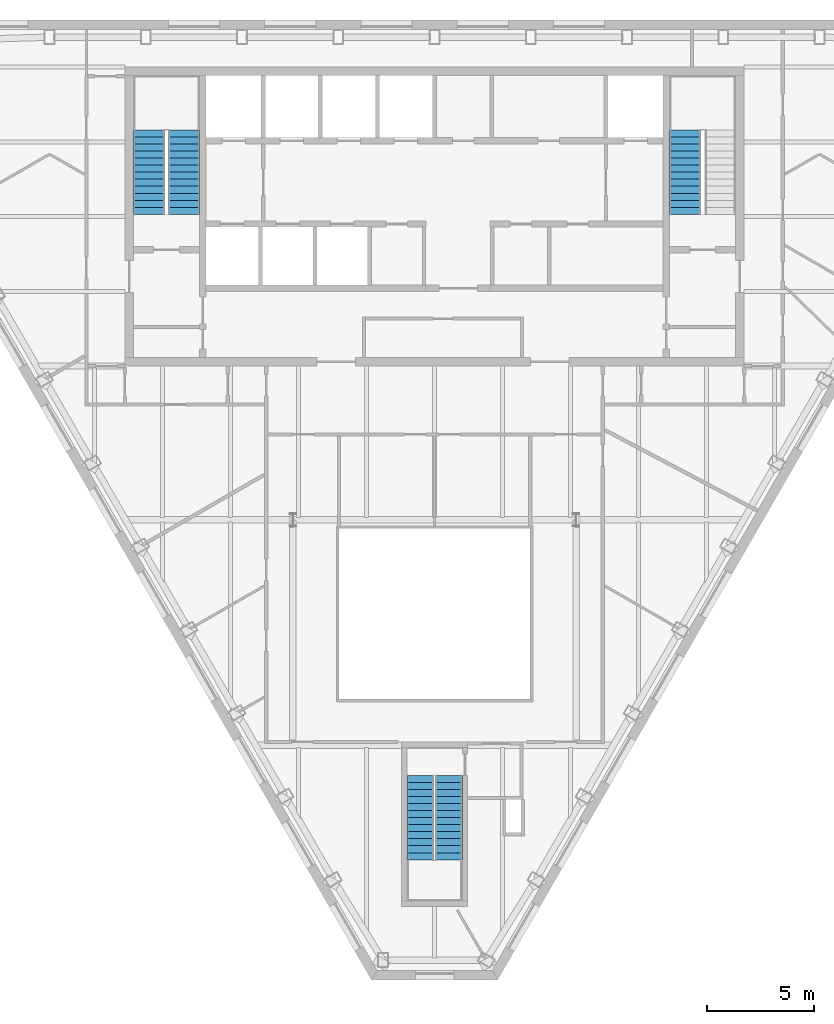
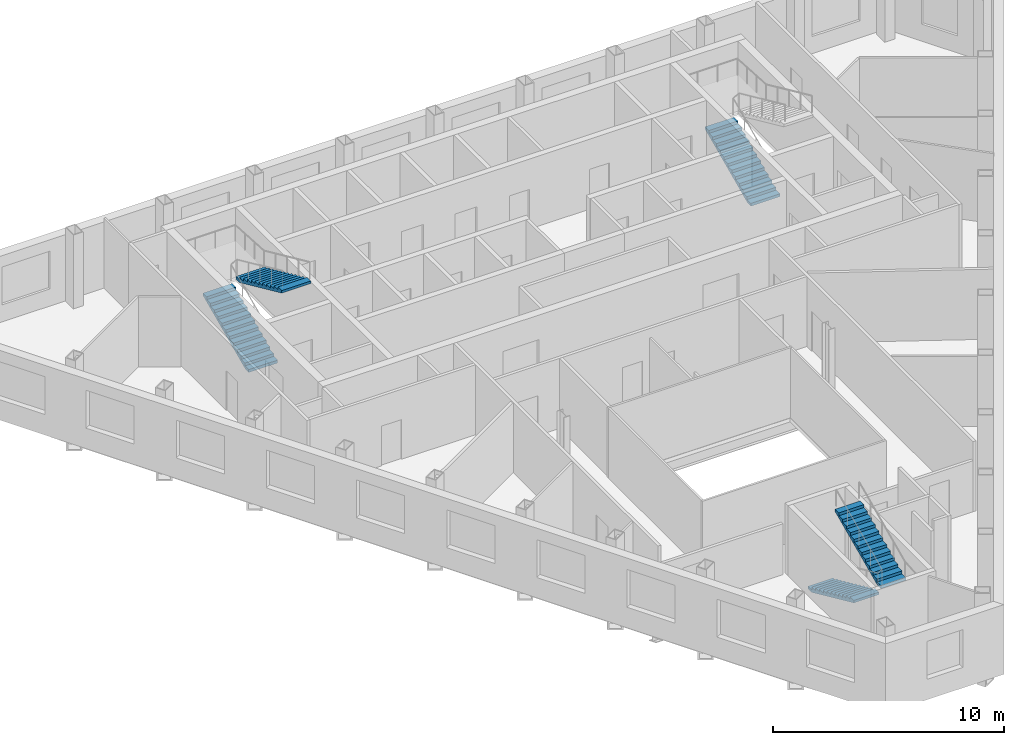
# One storey, part 8 of 10: 5 stair flights, 3 elements without a shape of their own.
"""IFC4 building model written with IfcOpenShell, lengths in metres."""

from ifc_helpers import new_model, si_unit, direction, frame, origin, place, context, subcontext, project, spatial, polygons, material, type_object, element, aggregate, save


model = new_model("IFC4")

# Units and contexts
model_context = context("Model", 3, precision=1e-05, world=origin(), true_north=direction((0.0, 1.0)))
body_context = subcontext(model_context, "Body", "Model", "MODEL_VIEW")
ifc_project = project(units=[si_unit("LENGTHUNIT", "METRE"), si_unit("AREAUNIT", "SQUARE_METRE"), si_unit("VOLUMEUNIT", "CUBIC_METRE"), si_unit("PLANEANGLEUNIT", "RADIAN"), si_unit("MASSUNIT", "GRAM", prefix="KILO")], contexts=[model_context])

# Site, building, storey
site_placement = place(None, origin())
site = spatial("IfcSite", under=ifc_project, at=site_placement, CompositionType="ELEMENT")
building_placement = place(site_placement, origin())
building = spatial("IfcBuilding", under=site, at=building_placement, Name="Njiva Tower", CompositionType="ELEMENT")
storey_placement = place(building_placement, frame((0.0, 0.0, 257.1)))
storey = spatial("IfcBuildingStorey", under=building, at=storey_placement, Name="L58", CompositionType="ELEMENT", Elevation=257.1)

# Stair, stair flights
ifc_material = material(Name="Concrete C40/50", Category="concrete")
stair_type_1 = type_object("IfcStairType", Name="ST1 Exit stair 1250", PredefinedType="HALF_TURN_STAIR", material=ifc_material)
stair_1_placement = place(storey_placement, origin())
stair_1 = element("IfcStair", 1, at=stair_1_placement, inside=storey, type_object=stair_type_1, Name="Stair C", PredefinedType="HALF_TURN_STAIR")
stair_flight_type_1 = type_object("IfcStairFlightType", Name="FL1 Stair flight 1250", PredefinedType="STRAIGHT", material=ifc_material)
stair_flight_1_placement = place(storey_placement, frame((-0.675, -15.16, 0.0), z_axis=(0.0, 0.0, 1.0), x_axis=(0.0, -1.0, 0.0)))
stair_flight_1 = element("IfcStairFlight", 2, at=stair_flight_1_placement, type_object=stair_flight_type_1, Name="ST-C flight 1", NumberOfRisers=13, NumberOfTreads=12, PredefinedType="STRAIGHT", RiserHeight=0.15, TreadLength=0.33, context=body_context, shape_type="Tessellation", body=[
    polygons([(0.0, 0.625, 0.0), (0.0, 0.3125, 0.0), (0.0, 0.0, 0.0), (0.0, -0.3125, 0.0), (0.0, -0.625, 0.0), (0.0, 0.625, 0.15), (0.0, 0.3125, 0.15), (0.0, 0.0, 0.15), (0.0, -0.3125, 0.15), (0.0, -0.625, 0.15), (0.33, 0.625, 0.15), (0.33, 0.3125, 0.15), (0.33, 0.0, 0.15), (0.33, -0.3125, 0.15), (0.33, -0.625, 0.15), (0.33, 0.625, 0.3), (0.33, 0.3125, 0.3), (0.33, 0.0, 0.3), (0.33, -0.3125, 0.3), (0.33, -0.625, 0.3), (0.66, 0.625, 0.3), (0.66, 0.3125, 0.3), (0.66, 0.0, 0.3), (0.66, -0.3125, 0.3), (0.66, -0.625, 0.3), (0.66, 0.625, 0.45), (0.66, 0.3125, 0.45), (0.66, 0.0, 0.45), (0.66, -0.3125, 0.45), (0.66, -0.625, 0.45), (0.99, 0.625, 0.45), (0.99, 0.3125, 0.45), (0.99, 0.0, 0.45), (0.99, -0.3125, 0.45), (0.99, -0.625, 0.45), (0.99, 0.625, 0.6), (0.99, 0.3125, 0.6), (0.99, 0.0, 0.6), (0.99, -0.3125, 0.6), (0.99, -0.625, 0.6), (1.32, 0.625, 0.6), (1.32, 0.3125, 0.6), (1.32, 0.0, 0.6), (1.32, -0.3125, 0.6), (1.32, -0.625, 0.6), (1.32, 0.625, 0.75), (1.32, 0.3125, 0.75), (1.32, 0.0, 0.75), (1.32, -0.3125, 0.75), (1.32, -0.625, 0.75), (1.65, 0.625, 0.75), (1.65, 0.3125, 0.75), (1.65, 0.0, 0.75), (1.65, -0.3125, 0.75), (1.65, -0.625, 0.75), (1.65, 0.625, 0.9), (1.65, 0.3125, 0.9), (1.65, 0.0, 0.9), (1.65, -0.3125, 0.9), (1.65, -0.625, 0.9), (1.98, 0.625, 0.9), (1.98, 0.3125, 0.9), (1.98, 0.0, 0.9), (1.98, -0.3125, 0.9), (1.98, -0.625, 0.9), (1.98, 0.625, 1.05), (1.98, 0.3125, 1.05), (1.98, 0.0, 1.05), (1.98, -0.3125, 1.05), (1.98, -0.625, 1.05), (2.31, 0.625, 1.05), (2.31, 0.3125, 1.05), (2.31, 0.0, 1.05), (2.31, -0.3125, 1.05), (2.31, -0.625, 1.05), (2.31, 0.625, 1.2), (2.31, 0.3125, 1.2), (2.31, 0.0, 1.2), (2.31, -0.3125, 1.2), (2.31, -0.625, 1.2), (2.64, 0.625, 1.2), (2.64, 0.3125, 1.2), (2.64, 0.0, 1.2), (2.64, -0.3125, 1.2), (2.64, -0.625, 1.2), (2.64, 0.625, 1.35), (2.64, 0.3125, 1.35), (2.64, 0.0, 1.35), (2.64, -0.3125, 1.35), (2.64, -0.625, 1.35), (2.97, 0.625, 1.35), (2.97, 0.3125, 1.35), (2.97, 0.0, 1.35), (2.97, -0.3125, 1.35), (2.97, -0.625, 1.35), (2.97, 0.625, 1.5), (2.97, 0.3125, 1.5), (2.97, 0.0, 1.5), (2.97, -0.3125, 1.5), (2.97, -0.625, 1.5), (3.3, 0.625, 1.5), (3.3, 0.3125, 1.5), (3.3, 0.0, 1.5), (3.3, -0.3125, 1.5), (3.3, -0.625, 1.5), (3.3, 0.625, 1.65), (3.3, 0.3125, 1.65), (3.3, 0.0, 1.65), (3.3, -0.3125, 1.65), (3.3, -0.625, 1.65), (3.63, 0.625, 1.65), (3.63, 0.3125, 1.65), (3.63, 0.0, 1.65), (3.63, -0.3125, 1.65), (3.63, -0.625, 1.65), (3.63, 0.625, 1.8), (3.63, 0.3125, 1.8), (3.63, 0.0, 1.8), (3.63, -0.3125, 1.8), (3.63, -0.625, 1.8), (3.96, 0.625, 1.8), (3.96, 0.3125, 1.8), (3.96, 0.0, 1.8), (3.96, -0.3125, 1.8), (3.96, -0.625, 1.8), (3.96, 0.625, 1.6682), (3.96, 0.3125, 1.6682), (3.96, 0.0, 1.6682), (3.96, -0.3125, 1.6682), (3.96, -0.625, 1.6682), (0.29, 0.625, 0.0), (0.29, 0.3125, 0.0), (0.29, 0.0, 0.0), (0.29, -0.3125, 0.0), (0.29, -0.625, 0.0)], [[[1, 6, 11, 16, 21, 26, 31, 36, 41, 46, 51, 56, 61, 66, 71, 76, 81, 86, 91, 96, 101, 106, 111, 116, 121, 126, 131]], [[135, 130, 125, 120, 115, 110, 105, 100, 95, 90, 85, 80, 75, 70, 65, 60, 55, 50, 45, 40, 35, 30, 25, 20, 15, 10, 5]], [[6, 1, 2, 7]], [[7, 2, 3, 8]], [[8, 3, 4, 9]], [[9, 4, 5, 10]], [[11, 6, 7, 12]], [[12, 7, 8, 13]], [[13, 8, 9, 14]], [[14, 9, 10, 15]], [[16, 11, 12, 17]], [[17, 12, 13, 18]], [[18, 13, 14, 19]], [[19, 14, 15, 20]], [[21, 16, 17, 22]], [[22, 17, 18, 23]], [[23, 18, 19, 24]], [[24, 19, 20, 25]], [[26, 21, 22, 27]], [[27, 22, 23, 28]], [[28, 23, 24, 29]], [[29, 24, 25, 30]], [[31, 26, 27, 32]], [[32, 27, 28, 33]], [[33, 28, 29, 34]], [[34, 29, 30, 35]], [[36, 31, 32, 37]], [[37, 32, 33, 38]], [[38, 33, 34, 39]], [[39, 34, 35, 40]], [[41, 36, 37, 42]], [[42, 37, 38, 43]], [[43, 38, 39, 44]], [[44, 39, 40, 45]], [[46, 41, 42, 47]], [[47, 42, 43, 48]], [[48, 43, 44, 49]], [[49, 44, 45, 50]], [[51, 46, 47, 52]], [[52, 47, 48, 53]], [[53, 48, 49, 54]], [[54, 49, 50, 55]], [[56, 51, 52, 57]], [[57, 52, 53, 58]], [[58, 53, 54, 59]], [[59, 54, 55, 60]], [[61, 56, 57, 62]], [[62, 57, 58, 63]], [[63, 58, 59, 64]], [[64, 59, 60, 65]], [[66, 61, 62, 67]], [[67, 62, 63, 68]], [[68, 63, 64, 69]], [[69, 64, 65, 70]], [[71, 66, 67, 72]], [[72, 67, 68, 73]], [[73, 68, 69, 74]], [[74, 69, 70, 75]], [[76, 71, 72, 77]], [[77, 72, 73, 78]], [[78, 73, 74, 79]], [[79, 74, 75, 80]], [[81, 76, 77, 82]], [[82, 77, 78, 83]], [[83, 78, 79, 84]], [[84, 79, 80, 85]], [[86, 81, 82, 87]], [[87, 82, 83, 88]], [[88, 83, 84, 89]], [[89, 84, 85, 90]], [[91, 86, 87, 92]], [[92, 87, 88, 93]], [[93, 88, 89, 94]], [[94, 89, 90, 95]], [[96, 91, 92, 97]], [[97, 92, 93, 98]], [[98, 93, 94, 99]], [[99, 94, 95, 100]], [[101, 96, 97, 102]], [[102, 97, 98, 103]], [[103, 98, 99, 104]], [[104, 99, 100, 105]], [[106, 101, 102, 107]], [[107, 102, 103, 108]], [[108, 103, 104, 109]], [[109, 104, 105, 110]], [[111, 106, 107, 112]], [[112, 107, 108, 113]], [[113, 108, 109, 114]], [[114, 109, 110, 115]], [[116, 111, 112, 117]], [[117, 112, 113, 118]], [[118, 113, 114, 119]], [[119, 114, 115, 120]], [[121, 116, 117, 122]], [[122, 117, 118, 123]], [[123, 118, 119, 124]], [[124, 119, 120, 125]], [[126, 121, 122, 127]], [[127, 122, 123, 128]], [[128, 123, 124, 129]], [[129, 124, 125, 130]], [[131, 126, 127, 132]], [[132, 127, 128, 133]], [[133, 128, 129, 134]], [[134, 129, 130, 135]], [[1, 131, 132, 2]], [[2, 132, 133, 3]], [[3, 133, 134, 4]], [[4, 134, 135, 5]]], closed=True),
])
stair_flight_2_placement = place(storey_placement, frame((0.675, -19.12, 1.95), z_axis=(0.0, 0.0, 1.0), x_axis=(0.0, 1.0, 0.0)))
stair_flight_2 = element("IfcStairFlight", 3, at=stair_flight_2_placement, type_object=stair_flight_type_1, Name="ST-C flight 2", NumberOfRisers=13, NumberOfTreads=12, PredefinedType="STRAIGHT", RiserHeight=0.15, TreadLength=0.33, context=body_context, shape_type="Tessellation", body=[
    polygons([(0.0, 0.625, 0.0), (0.0, 0.3125, 0.0), (0.0, 0.0, 0.0), (0.0, -0.3125, 0.0), (0.0, -0.625, 0.0), (0.0, 0.625, 0.15), (0.0, 0.3125, 0.15), (0.0, 0.0, 0.15), (0.0, -0.3125, 0.15), (0.0, -0.625, 0.15), (0.33, 0.625, 0.15), (0.33, 0.3125, 0.15), (0.33, 0.0, 0.15), (0.33, -0.3125, 0.15), (0.33, -0.625, 0.15), (0.33, 0.625, 0.3), (0.33, 0.3125, 0.3), (0.33, 0.0, 0.3), (0.33, -0.3125, 0.3), (0.33, -0.625, 0.3), (0.66, 0.625, 0.3), (0.66, 0.3125, 0.3), (0.66, 0.0, 0.3), (0.66, -0.3125, 0.3), (0.66, -0.625, 0.3), (0.66, 0.625, 0.45), (0.66, 0.3125, 0.45), (0.66, 0.0, 0.45), (0.66, -0.3125, 0.45), (0.66, -0.625, 0.45), (0.99, 0.625, 0.45), (0.99, 0.3125, 0.45), (0.99, 0.0, 0.45), (0.99, -0.3125, 0.45), (0.99, -0.625, 0.45), (0.99, 0.625, 0.6), (0.99, 0.3125, 0.6), (0.99, 0.0, 0.6), (0.99, -0.3125, 0.6), (0.99, -0.625, 0.6), (1.32, 0.625, 0.6), (1.32, 0.3125, 0.6), (1.32, 0.0, 0.6), (1.32, -0.3125, 0.6), (1.32, -0.625, 0.6), (1.32, 0.625, 0.75), (1.32, 0.3125, 0.75), (1.32, 0.0, 0.75), (1.32, -0.3125, 0.75), (1.32, -0.625, 0.75), (1.65, 0.625, 0.75), (1.65, 0.3125, 0.75), (1.65, 0.0, 0.75), (1.65, -0.3125, 0.75), (1.65, -0.625, 0.75), (1.65, 0.625, 0.9), (1.65, 0.3125, 0.9), (1.65, 0.0, 0.9), (1.65, -0.3125, 0.9), (1.65, -0.625, 0.9), (1.98, 0.625, 0.9), (1.98, 0.3125, 0.9), (1.98, 0.0, 0.9), (1.98, -0.3125, 0.9), (1.98, -0.625, 0.9), (1.98, 0.625, 1.05), (1.98, 0.3125, 1.05), (1.98, 0.0, 1.05), (1.98, -0.3125, 1.05), (1.98, -0.625, 1.05), (2.31, 0.625, 1.05), (2.31, 0.3125, 1.05), (2.31, 0.0, 1.05), (2.31, -0.3125, 1.05), (2.31, -0.625, 1.05), (2.31, 0.625, 1.2), (2.31, 0.3125, 1.2), (2.31, 0.0, 1.2), (2.31, -0.3125, 1.2), (2.31, -0.625, 1.2), (2.64, 0.625, 1.2), (2.64, 0.3125, 1.2), (2.64, 0.0, 1.2), (2.64, -0.3125, 1.2), (2.64, -0.625, 1.2), (2.64, 0.625, 1.35), (2.64, 0.3125, 1.35), (2.64, 0.0, 1.35), (2.64, -0.3125, 1.35), (2.64, -0.625, 1.35), (2.97, 0.625, 1.35), (2.97, 0.3125, 1.35), (2.97, 0.0, 1.35), (2.97, -0.3125, 1.35), (2.97, -0.625, 1.35), (2.97, 0.625, 1.5), (2.97, 0.3125, 1.5), (2.97, 0.0, 1.5), (2.97, -0.3125, 1.5), (2.97, -0.625, 1.5), (3.3, 0.625, 1.5), (3.3, 0.3125, 1.5), (3.3, 0.0, 1.5), (3.3, -0.3125, 1.5), (3.3, -0.625, 1.5), (3.3, 0.625, 1.65), (3.3, 0.3125, 1.65), (3.3, 0.0, 1.65), (3.3, -0.3125, 1.65), (3.3, -0.625, 1.65), (3.63, 0.625, 1.65), (3.63, 0.3125, 1.65), (3.63, 0.0, 1.65), (3.63, -0.3125, 1.65), (3.63, -0.625, 1.65), (3.63, 0.625, 1.8), (3.63, 0.3125, 1.8), (3.63, 0.0, 1.8), (3.63, -0.3125, 1.8), (3.63, -0.625, 1.8), (3.96, 0.625, 1.8), (3.96, 0.3125, 1.8), (3.96, 0.0, 1.8), (3.96, -0.3125, 1.8), (3.96, -0.625, 1.8), (3.96, 0.625, 1.6682), (3.96, 0.3125, 1.6682), (3.96, 0.0, 1.6682), (3.96, -0.3125, 1.6682), (3.96, -0.625, 1.6682), (0.29, 0.625, 0.0), (0.29, 0.3125, 0.0), (0.29, 0.0, 0.0), (0.29, -0.3125, 0.0), (0.29, -0.625, 0.0)], [[[1, 6, 11, 16, 21, 26, 31, 36, 41, 46, 51, 56, 61, 66, 71, 76, 81, 86, 91, 96, 101, 106, 111, 116, 121, 126, 131]], [[135, 130, 125, 120, 115, 110, 105, 100, 95, 90, 85, 80, 75, 70, 65, 60, 55, 50, 45, 40, 35, 30, 25, 20, 15, 10, 5]], [[6, 1, 2, 7]], [[7, 2, 3, 8]], [[8, 3, 4, 9]], [[9, 4, 5, 10]], [[11, 6, 7, 12]], [[12, 7, 8, 13]], [[13, 8, 9, 14]], [[14, 9, 10, 15]], [[16, 11, 12, 17]], [[17, 12, 13, 18]], [[18, 13, 14, 19]], [[19, 14, 15, 20]], [[21, 16, 17, 22]], [[22, 17, 18, 23]], [[23, 18, 19, 24]], [[24, 19, 20, 25]], [[26, 21, 22, 27]], [[27, 22, 23, 28]], [[28, 23, 24, 29]], [[29, 24, 25, 30]], [[31, 26, 27, 32]], [[32, 27, 28, 33]], [[33, 28, 29, 34]], [[34, 29, 30, 35]], [[36, 31, 32, 37]], [[37, 32, 33, 38]], [[38, 33, 34, 39]], [[39, 34, 35, 40]], [[41, 36, 37, 42]], [[42, 37, 38, 43]], [[43, 38, 39, 44]], [[44, 39, 40, 45]], [[46, 41, 42, 47]], [[47, 42, 43, 48]], [[48, 43, 44, 49]], [[49, 44, 45, 50]], [[51, 46, 47, 52]], [[52, 47, 48, 53]], [[53, 48, 49, 54]], [[54, 49, 50, 55]], [[56, 51, 52, 57]], [[57, 52, 53, 58]], [[58, 53, 54, 59]], [[59, 54, 55, 60]], [[61, 56, 57, 62]], [[62, 57, 58, 63]], [[63, 58, 59, 64]], [[64, 59, 60, 65]], [[66, 61, 62, 67]], [[67, 62, 63, 68]], [[68, 63, 64, 69]], [[69, 64, 65, 70]], [[71, 66, 67, 72]], [[72, 67, 68, 73]], [[73, 68, 69, 74]], [[74, 69, 70, 75]], [[76, 71, 72, 77]], [[77, 72, 73, 78]], [[78, 73, 74, 79]], [[79, 74, 75, 80]], [[81, 76, 77, 82]], [[82, 77, 78, 83]], [[83, 78, 79, 84]], [[84, 79, 80, 85]], [[86, 81, 82, 87]], [[87, 82, 83, 88]], [[88, 83, 84, 89]], [[89, 84, 85, 90]], [[91, 86, 87, 92]], [[92, 87, 88, 93]], [[93, 88, 89, 94]], [[94, 89, 90, 95]], [[96, 91, 92, 97]], [[97, 92, 93, 98]], [[98, 93, 94, 99]], [[99, 94, 95, 100]], [[101, 96, 97, 102]], [[102, 97, 98, 103]], [[103, 98, 99, 104]], [[104, 99, 100, 105]], [[106, 101, 102, 107]], [[107, 102, 103, 108]], [[108, 103, 104, 109]], [[109, 104, 105, 110]], [[111, 106, 107, 112]], [[112, 107, 108, 113]], [[113, 108, 109, 114]], [[114, 109, 110, 115]], [[116, 111, 112, 117]], [[117, 112, 113, 118]], [[118, 113, 114, 119]], [[119, 114, 115, 120]], [[121, 116, 117, 122]], [[122, 117, 118, 123]], [[123, 118, 119, 124]], [[124, 119, 120, 125]], [[126, 121, 122, 127]], [[127, 122, 123, 128]], [[128, 123, 124, 129]], [[129, 124, 125, 130]], [[131, 126, 127, 132]], [[132, 127, 128, 133]], [[133, 128, 129, 134]], [[134, 129, 130, 135]], [[1, 131, 132, 2]], [[2, 132, 133, 3]], [[3, 133, 134, 4]], [[4, 134, 135, 5]]], closed=True),
])
aggregate(stair_1, [stair_flight_1, stair_flight_2])

stair_type_2 = type_object("IfcStairType", Name="ST3 Exit stair 1450", PredefinedType="HALF_TURN_STAIR", material=ifc_material)
stair_2_placement = place(storey_placement, origin())
stair_2 = element("IfcStair", 4, at=stair_2_placement, inside=storey, type_object=stair_type_2, Name="Stair A", PredefinedType="HALF_TURN_STAIR")
stair_flight_type_2 = type_object("IfcStairFlightType", Name="FL3 Stair flight 1450", PredefinedType="STRAIGHT", material=ifc_material)
stair_flight_3_placement = place(storey_placement, frame((-13.375, 11.1, 0.0), z_axis=(0.0, 0.0, 1.0), x_axis=(0.0, 1.0, 0.0)))
stair_flight_3 = element("IfcStairFlight", 5, at=stair_flight_3_placement, type_object=stair_flight_type_2, Name="ST-A flight 1", NumberOfRisers=13, NumberOfTreads=12, PredefinedType="STRAIGHT", RiserHeight=0.15, TreadLength=0.33, context=body_context, shape_type="Tessellation", body=[
    polygons([(0.0, 0.725, 0.0), (0.0, 0.3625, 0.0), (0.0, 0.0, 0.0), (0.0, -0.3625, 0.0), (0.0, -0.725, 0.0), (0.0, 0.725, 0.15), (0.0, 0.3625, 0.15), (0.0, 0.0, 0.15), (0.0, -0.3625, 0.15), (0.0, -0.725, 0.15), (0.33, 0.725, 0.15), (0.33, 0.3625, 0.15), (0.33, 0.0, 0.15), (0.33, -0.3625, 0.15), (0.33, -0.725, 0.15), (0.33, 0.725, 0.3), (0.33, 0.3625, 0.3), (0.33, 0.0, 0.3), (0.33, -0.3625, 0.3), (0.33, -0.725, 0.3), (0.66, 0.725, 0.3), (0.66, 0.3625, 0.3), (0.66, 0.0, 0.3), (0.66, -0.3625, 0.3), (0.66, -0.725, 0.3), (0.66, 0.725, 0.45), (0.66, 0.3625, 0.45), (0.66, 0.0, 0.45), (0.66, -0.3625, 0.45), (0.66, -0.725, 0.45), (0.99, 0.725, 0.45), (0.99, 0.3625, 0.45), (0.99, 0.0, 0.45), (0.99, -0.3625, 0.45), (0.99, -0.725, 0.45), (0.99, 0.725, 0.6), (0.99, 0.3625, 0.6), (0.99, 0.0, 0.6), (0.99, -0.3625, 0.6), (0.99, -0.725, 0.6), (1.32, 0.725, 0.6), (1.32, 0.3625, 0.6), (1.32, 0.0, 0.6), (1.32, -0.3625, 0.6), (1.32, -0.725, 0.6), (1.32, 0.725, 0.75), (1.32, 0.3625, 0.75), (1.32, 0.0, 0.75), (1.32, -0.3625, 0.75), (1.32, -0.725, 0.75), (1.65, 0.725, 0.75), (1.65, 0.3625, 0.75), (1.65, 0.0, 0.75), (1.65, -0.3625, 0.75), (1.65, -0.725, 0.75), (1.65, 0.725, 0.9), (1.65, 0.3625, 0.9), (1.65, 0.0, 0.9), (1.65, -0.3625, 0.9), (1.65, -0.725, 0.9), (1.98, 0.725, 0.9), (1.98, 0.3625, 0.9), (1.98, 0.0, 0.9), (1.98, -0.3625, 0.9), (1.98, -0.725, 0.9), (1.98, 0.725, 1.05), (1.98, 0.3625, 1.05), (1.98, 0.0, 1.05), (1.98, -0.3625, 1.05), (1.98, -0.725, 1.05), (2.31, 0.725, 1.05), (2.31, 0.3625, 1.05), (2.31, 0.0, 1.05), (2.31, -0.3625, 1.05), (2.31, -0.725, 1.05), (2.31, 0.725, 1.2), (2.31, 0.3625, 1.2), (2.31, 0.0, 1.2), (2.31, -0.3625, 1.2), (2.31, -0.725, 1.2), (2.64, 0.725, 1.2), (2.64, 0.3625, 1.2), (2.64, 0.0, 1.2), (2.64, -0.3625, 1.2), (2.64, -0.725, 1.2), (2.64, 0.725, 1.35), (2.64, 0.3625, 1.35), (2.64, 0.0, 1.35), (2.64, -0.3625, 1.35), (2.64, -0.725, 1.35), (2.97, 0.725, 1.35), (2.97, 0.3625, 1.35), (2.97, 0.0, 1.35), (2.97, -0.3625, 1.35), (2.97, -0.725, 1.35), (2.97, 0.725, 1.5), (2.97, 0.3625, 1.5), (2.97, 0.0, 1.5), (2.97, -0.3625, 1.5), (2.97, -0.725, 1.5), (3.3, 0.725, 1.5), (3.3, 0.3625, 1.5), (3.3, 0.0, 1.5), (3.3, -0.3625, 1.5), (3.3, -0.725, 1.5), (3.3, 0.725, 1.65), (3.3, 0.3625, 1.65), (3.3, 0.0, 1.65), (3.3, -0.3625, 1.65), (3.3, -0.725, 1.65), (3.63, 0.725, 1.65), (3.63, 0.3625, 1.65), (3.63, 0.0, 1.65), (3.63, -0.3625, 1.65), (3.63, -0.725, 1.65), (3.63, 0.725, 1.8), (3.63, 0.3625, 1.8), (3.63, 0.0, 1.8), (3.63, -0.3625, 1.8), (3.63, -0.725, 1.8), (3.96, 0.725, 1.8), (3.96, 0.3625, 1.8), (3.96, 0.0, 1.8), (3.96, -0.3625, 1.8), (3.96, -0.725, 1.8), (3.96, 0.725, 1.6682), (3.96, 0.3625, 1.6682), (3.96, 0.0, 1.6682), (3.96, -0.3625, 1.6682), (3.96, -0.725, 1.6682), (0.29, 0.725, 0.0), (0.29, 0.3625, 0.0), (0.29, 0.0, 0.0), (0.29, -0.3625, 0.0), (0.29, -0.725, 0.0)], [[[1, 6, 11, 16, 21, 26, 31, 36, 41, 46, 51, 56, 61, 66, 71, 76, 81, 86, 91, 96, 101, 106, 111, 116, 121, 126, 131]], [[135, 130, 125, 120, 115, 110, 105, 100, 95, 90, 85, 80, 75, 70, 65, 60, 55, 50, 45, 40, 35, 30, 25, 20, 15, 10, 5]], [[6, 1, 2, 7]], [[7, 2, 3, 8]], [[8, 3, 4, 9]], [[9, 4, 5, 10]], [[11, 6, 7, 12]], [[12, 7, 8, 13]], [[13, 8, 9, 14]], [[14, 9, 10, 15]], [[16, 11, 12, 17]], [[17, 12, 13, 18]], [[18, 13, 14, 19]], [[19, 14, 15, 20]], [[21, 16, 17, 22]], [[22, 17, 18, 23]], [[23, 18, 19, 24]], [[24, 19, 20, 25]], [[26, 21, 22, 27]], [[27, 22, 23, 28]], [[28, 23, 24, 29]], [[29, 24, 25, 30]], [[31, 26, 27, 32]], [[32, 27, 28, 33]], [[33, 28, 29, 34]], [[34, 29, 30, 35]], [[36, 31, 32, 37]], [[37, 32, 33, 38]], [[38, 33, 34, 39]], [[39, 34, 35, 40]], [[41, 36, 37, 42]], [[42, 37, 38, 43]], [[43, 38, 39, 44]], [[44, 39, 40, 45]], [[46, 41, 42, 47]], [[47, 42, 43, 48]], [[48, 43, 44, 49]], [[49, 44, 45, 50]], [[51, 46, 47, 52]], [[52, 47, 48, 53]], [[53, 48, 49, 54]], [[54, 49, 50, 55]], [[56, 51, 52, 57]], [[57, 52, 53, 58]], [[58, 53, 54, 59]], [[59, 54, 55, 60]], [[61, 56, 57, 62]], [[62, 57, 58, 63]], [[63, 58, 59, 64]], [[64, 59, 60, 65]], [[66, 61, 62, 67]], [[67, 62, 63, 68]], [[68, 63, 64, 69]], [[69, 64, 65, 70]], [[71, 66, 67, 72]], [[72, 67, 68, 73]], [[73, 68, 69, 74]], [[74, 69, 70, 75]], [[76, 71, 72, 77]], [[77, 72, 73, 78]], [[78, 73, 74, 79]], [[79, 74, 75, 80]], [[81, 76, 77, 82]], [[82, 77, 78, 83]], [[83, 78, 79, 84]], [[84, 79, 80, 85]], [[86, 81, 82, 87]], [[87, 82, 83, 88]], [[88, 83, 84, 89]], [[89, 84, 85, 90]], [[91, 86, 87, 92]], [[92, 87, 88, 93]], [[93, 88, 89, 94]], [[94, 89, 90, 95]], [[96, 91, 92, 97]], [[97, 92, 93, 98]], [[98, 93, 94, 99]], [[99, 94, 95, 100]], [[101, 96, 97, 102]], [[102, 97, 98, 103]], [[103, 98, 99, 104]], [[104, 99, 100, 105]], [[106, 101, 102, 107]], [[107, 102, 103, 108]], [[108, 103, 104, 109]], [[109, 104, 105, 110]], [[111, 106, 107, 112]], [[112, 107, 108, 113]], [[113, 108, 109, 114]], [[114, 109, 110, 115]], [[116, 111, 112, 117]], [[117, 112, 113, 118]], [[118, 113, 114, 119]], [[119, 114, 115, 120]], [[121, 116, 117, 122]], [[122, 117, 118, 123]], [[123, 118, 119, 124]], [[124, 119, 120, 125]], [[126, 121, 122, 127]], [[127, 122, 123, 128]], [[128, 123, 124, 129]], [[129, 124, 125, 130]], [[131, 126, 127, 132]], [[132, 127, 128, 133]], [[133, 128, 129, 134]], [[134, 129, 130, 135]], [[1, 131, 132, 2]], [[2, 132, 133, 3]], [[3, 133, 134, 4]], [[4, 134, 135, 5]]], closed=True),
])
stair_flight_4_placement = place(storey_placement, frame((-11.725, 15.06, 1.95), z_axis=(0.0, 0.0, 1.0), x_axis=(0.0, -1.0, 0.0)))
stair_flight_4 = element("IfcStairFlight", 6, at=stair_flight_4_placement, type_object=stair_flight_type_2, Name="ST-A flight 2", NumberOfRisers=13, NumberOfTreads=12, PredefinedType="STRAIGHT", RiserHeight=0.15, TreadLength=0.33, context=body_context, shape_type="Tessellation", body=[
    polygons([(0.0, 0.725, 0.0), (0.0, 0.3625, 0.0), (0.0, 0.0, 0.0), (0.0, -0.3625, 0.0), (0.0, -0.725, 0.0), (0.0, 0.725, 0.15), (0.0, 0.3625, 0.15), (0.0, 0.0, 0.15), (0.0, -0.3625, 0.15), (0.0, -0.725, 0.15), (0.33, 0.725, 0.15), (0.33, 0.3625, 0.15), (0.33, 0.0, 0.15), (0.33, -0.3625, 0.15), (0.33, -0.725, 0.15), (0.33, 0.725, 0.3), (0.33, 0.3625, 0.3), (0.33, 0.0, 0.3), (0.33, -0.3625, 0.3), (0.33, -0.725, 0.3), (0.66, 0.725, 0.3), (0.66, 0.3625, 0.3), (0.66, 0.0, 0.3), (0.66, -0.3625, 0.3), (0.66, -0.725, 0.3), (0.66, 0.725, 0.45), (0.66, 0.3625, 0.45), (0.66, 0.0, 0.45), (0.66, -0.3625, 0.45), (0.66, -0.725, 0.45), (0.99, 0.725, 0.45), (0.99, 0.3625, 0.45), (0.99, 0.0, 0.45), (0.99, -0.3625, 0.45), (0.99, -0.725, 0.45), (0.99, 0.725, 0.6), (0.99, 0.3625, 0.6), (0.99, 0.0, 0.6), (0.99, -0.3625, 0.6), (0.99, -0.725, 0.6), (1.32, 0.725, 0.6), (1.32, 0.3625, 0.6), (1.32, 0.0, 0.6), (1.32, -0.3625, 0.6), (1.32, -0.725, 0.6), (1.32, 0.725, 0.75), (1.32, 0.3625, 0.75), (1.32, 0.0, 0.75), (1.32, -0.3625, 0.75), (1.32, -0.725, 0.75), (1.65, 0.725, 0.75), (1.65, 0.3625, 0.75), (1.65, 0.0, 0.75), (1.65, -0.3625, 0.75), (1.65, -0.725, 0.75), (1.65, 0.725, 0.9), (1.65, 0.3625, 0.9), (1.65, 0.0, 0.9), (1.65, -0.3625, 0.9), (1.65, -0.725, 0.9), (1.98, 0.725, 0.9), (1.98, 0.3625, 0.9), (1.98, 0.0, 0.9), (1.98, -0.3625, 0.9), (1.98, -0.725, 0.9), (1.98, 0.725, 1.05), (1.98, 0.3625, 1.05), (1.98, 0.0, 1.05), (1.98, -0.3625, 1.05), (1.98, -0.725, 1.05), (2.31, 0.725, 1.05), (2.31, 0.3625, 1.05), (2.31, 0.0, 1.05), (2.31, -0.3625, 1.05), (2.31, -0.725, 1.05), (2.31, 0.725, 1.2), (2.31, 0.3625, 1.2), (2.31, 0.0, 1.2), (2.31, -0.3625, 1.2), (2.31, -0.725, 1.2), (2.64, 0.725, 1.2), (2.64, 0.3625, 1.2), (2.64, 0.0, 1.2), (2.64, -0.3625, 1.2), (2.64, -0.725, 1.2), (2.64, 0.725, 1.35), (2.64, 0.3625, 1.35), (2.64, 0.0, 1.35), (2.64, -0.3625, 1.35), (2.64, -0.725, 1.35), (2.97, 0.725, 1.35), (2.97, 0.3625, 1.35), (2.97, 0.0, 1.35), (2.97, -0.3625, 1.35), (2.97, -0.725, 1.35), (2.97, 0.725, 1.5), (2.97, 0.3625, 1.5), (2.97, 0.0, 1.5), (2.97, -0.3625, 1.5), (2.97, -0.725, 1.5), (3.3, 0.725, 1.5), (3.3, 0.3625, 1.5), (3.3, 0.0, 1.5), (3.3, -0.3625, 1.5), (3.3, -0.725, 1.5), (3.3, 0.725, 1.65), (3.3, 0.3625, 1.65), (3.3, 0.0, 1.65), (3.3, -0.3625, 1.65), (3.3, -0.725, 1.65), (3.63, 0.725, 1.65), (3.63, 0.3625, 1.65), (3.63, 0.0, 1.65), (3.63, -0.3625, 1.65), (3.63, -0.725, 1.65), (3.63, 0.725, 1.8), (3.63, 0.3625, 1.8), (3.63, 0.0, 1.8), (3.63, -0.3625, 1.8), (3.63, -0.725, 1.8), (3.96, 0.725, 1.8), (3.96, 0.3625, 1.8), (3.96, 0.0, 1.8), (3.96, -0.3625, 1.8), (3.96, -0.725, 1.8), (3.96, 0.725, 1.6682), (3.96, 0.3625, 1.6682), (3.96, 0.0, 1.6682), (3.96, -0.3625, 1.6682), (3.96, -0.725, 1.6682), (0.29, 0.725, 0.0), (0.29, 0.3625, 0.0), (0.29, 0.0, 0.0), (0.29, -0.3625, 0.0), (0.29, -0.725, 0.0)], [[[1, 6, 11, 16, 21, 26, 31, 36, 41, 46, 51, 56, 61, 66, 71, 76, 81, 86, 91, 96, 101, 106, 111, 116, 121, 126, 131]], [[135, 130, 125, 120, 115, 110, 105, 100, 95, 90, 85, 80, 75, 70, 65, 60, 55, 50, 45, 40, 35, 30, 25, 20, 15, 10, 5]], [[6, 1, 2, 7]], [[7, 2, 3, 8]], [[8, 3, 4, 9]], [[9, 4, 5, 10]], [[11, 6, 7, 12]], [[12, 7, 8, 13]], [[13, 8, 9, 14]], [[14, 9, 10, 15]], [[16, 11, 12, 17]], [[17, 12, 13, 18]], [[18, 13, 14, 19]], [[19, 14, 15, 20]], [[21, 16, 17, 22]], [[22, 17, 18, 23]], [[23, 18, 19, 24]], [[24, 19, 20, 25]], [[26, 21, 22, 27]], [[27, 22, 23, 28]], [[28, 23, 24, 29]], [[29, 24, 25, 30]], [[31, 26, 27, 32]], [[32, 27, 28, 33]], [[33, 28, 29, 34]], [[34, 29, 30, 35]], [[36, 31, 32, 37]], [[37, 32, 33, 38]], [[38, 33, 34, 39]], [[39, 34, 35, 40]], [[41, 36, 37, 42]], [[42, 37, 38, 43]], [[43, 38, 39, 44]], [[44, 39, 40, 45]], [[46, 41, 42, 47]], [[47, 42, 43, 48]], [[48, 43, 44, 49]], [[49, 44, 45, 50]], [[51, 46, 47, 52]], [[52, 47, 48, 53]], [[53, 48, 49, 54]], [[54, 49, 50, 55]], [[56, 51, 52, 57]], [[57, 52, 53, 58]], [[58, 53, 54, 59]], [[59, 54, 55, 60]], [[61, 56, 57, 62]], [[62, 57, 58, 63]], [[63, 58, 59, 64]], [[64, 59, 60, 65]], [[66, 61, 62, 67]], [[67, 62, 63, 68]], [[68, 63, 64, 69]], [[69, 64, 65, 70]], [[71, 66, 67, 72]], [[72, 67, 68, 73]], [[73, 68, 69, 74]], [[74, 69, 70, 75]], [[76, 71, 72, 77]], [[77, 72, 73, 78]], [[78, 73, 74, 79]], [[79, 74, 75, 80]], [[81, 76, 77, 82]], [[82, 77, 78, 83]], [[83, 78, 79, 84]], [[84, 79, 80, 85]], [[86, 81, 82, 87]], [[87, 82, 83, 88]], [[88, 83, 84, 89]], [[89, 84, 85, 90]], [[91, 86, 87, 92]], [[92, 87, 88, 93]], [[93, 88, 89, 94]], [[94, 89, 90, 95]], [[96, 91, 92, 97]], [[97, 92, 93, 98]], [[98, 93, 94, 99]], [[99, 94, 95, 100]], [[101, 96, 97, 102]], [[102, 97, 98, 103]], [[103, 98, 99, 104]], [[104, 99, 100, 105]], [[106, 101, 102, 107]], [[107, 102, 103, 108]], [[108, 103, 104, 109]], [[109, 104, 105, 110]], [[111, 106, 107, 112]], [[112, 107, 108, 113]], [[113, 108, 109, 114]], [[114, 109, 110, 115]], [[116, 111, 112, 117]], [[117, 112, 113, 118]], [[118, 113, 114, 119]], [[119, 114, 115, 120]], [[121, 116, 117, 122]], [[122, 117, 118, 123]], [[123, 118, 119, 124]], [[124, 119, 120, 125]], [[126, 121, 122, 127]], [[127, 122, 123, 128]], [[128, 123, 124, 129]], [[129, 124, 125, 130]], [[131, 126, 127, 132]], [[132, 127, 128, 133]], [[133, 128, 129, 134]], [[134, 129, 130, 135]], [[1, 131, 132, 2]], [[2, 132, 133, 3]], [[3, 133, 134, 4]], [[4, 134, 135, 5]]], closed=True),
])
aggregate(stair_2, [stair_flight_3, stair_flight_4])

# Stair, stair flight
stair_3_placement = place(storey_placement, origin())
stair_3 = element("IfcStair", 7, at=stair_3_placement, inside=storey, type_object=stair_type_2, Name="Stair B", PredefinedType="HALF_TURN_STAIR")
stair_flight_5_placement = place(storey_placement, frame((11.725, 11.1, 0.0), z_axis=(0.0, 0.0, 1.0), x_axis=(0.0, 1.0, 0.0)))
stair_flight_5 = element("IfcStairFlight", 8, at=stair_flight_5_placement, type_object=stair_flight_type_2, Name="ST-B flight 1", NumberOfRisers=13, NumberOfTreads=12, PredefinedType="STRAIGHT", RiserHeight=0.15, TreadLength=0.33, context=body_context, shape_type="Tessellation", body=[
    polygons([(0.0, 0.725, 0.0), (0.0, 0.3625, 0.0), (0.0, 0.0, 0.0), (0.0, -0.3625, 0.0), (0.0, -0.725, 0.0), (0.0, 0.725, 0.15), (0.0, 0.3625, 0.15), (0.0, 0.0, 0.15), (0.0, -0.3625, 0.15), (0.0, -0.725, 0.15), (0.33, 0.725, 0.15), (0.33, 0.3625, 0.15), (0.33, 0.0, 0.15), (0.33, -0.3625, 0.15), (0.33, -0.725, 0.15), (0.33, 0.725, 0.3), (0.33, 0.3625, 0.3), (0.33, 0.0, 0.3), (0.33, -0.3625, 0.3), (0.33, -0.725, 0.3), (0.66, 0.725, 0.3), (0.66, 0.3625, 0.3), (0.66, 0.0, 0.3), (0.66, -0.3625, 0.3), (0.66, -0.725, 0.3), (0.66, 0.725, 0.45), (0.66, 0.3625, 0.45), (0.66, 0.0, 0.45), (0.66, -0.3625, 0.45), (0.66, -0.725, 0.45), (0.99, 0.725, 0.45), (0.99, 0.3625, 0.45), (0.99, 0.0, 0.45), (0.99, -0.3625, 0.45), (0.99, -0.725, 0.45), (0.99, 0.725, 0.6), (0.99, 0.3625, 0.6), (0.99, 0.0, 0.6), (0.99, -0.3625, 0.6), (0.99, -0.725, 0.6), (1.32, 0.725, 0.6), (1.32, 0.3625, 0.6), (1.32, 0.0, 0.6), (1.32, -0.3625, 0.6), (1.32, -0.725, 0.6), (1.32, 0.725, 0.75), (1.32, 0.3625, 0.75), (1.32, 0.0, 0.75), (1.32, -0.3625, 0.75), (1.32, -0.725, 0.75), (1.65, 0.725, 0.75), (1.65, 0.3625, 0.75), (1.65, 0.0, 0.75), (1.65, -0.3625, 0.75), (1.65, -0.725, 0.75), (1.65, 0.725, 0.9), (1.65, 0.3625, 0.9), (1.65, 0.0, 0.9), (1.65, -0.3625, 0.9), (1.65, -0.725, 0.9), (1.98, 0.725, 0.9), (1.98, 0.3625, 0.9), (1.98, 0.0, 0.9), (1.98, -0.3625, 0.9), (1.98, -0.725, 0.9), (1.98, 0.725, 1.05), (1.98, 0.3625, 1.05), (1.98, 0.0, 1.05), (1.98, -0.3625, 1.05), (1.98, -0.725, 1.05), (2.31, 0.725, 1.05), (2.31, 0.3625, 1.05), (2.31, 0.0, 1.05), (2.31, -0.3625, 1.05), (2.31, -0.725, 1.05), (2.31, 0.725, 1.2), (2.31, 0.3625, 1.2), (2.31, 0.0, 1.2), (2.31, -0.3625, 1.2), (2.31, -0.725, 1.2), (2.64, 0.725, 1.2), (2.64, 0.3625, 1.2), (2.64, 0.0, 1.2), (2.64, -0.3625, 1.2), (2.64, -0.725, 1.2), (2.64, 0.725, 1.35), (2.64, 0.3625, 1.35), (2.64, 0.0, 1.35), (2.64, -0.3625, 1.35), (2.64, -0.725, 1.35), (2.97, 0.725, 1.35), (2.97, 0.3625, 1.35), (2.97, 0.0, 1.35), (2.97, -0.3625, 1.35), (2.97, -0.725, 1.35), (2.97, 0.725, 1.5), (2.97, 0.3625, 1.5), (2.97, 0.0, 1.5), (2.97, -0.3625, 1.5), (2.97, -0.725, 1.5), (3.3, 0.725, 1.5), (3.3, 0.3625, 1.5), (3.3, 0.0, 1.5), (3.3, -0.3625, 1.5), (3.3, -0.725, 1.5), (3.3, 0.725, 1.65), (3.3, 0.3625, 1.65), (3.3, 0.0, 1.65), (3.3, -0.3625, 1.65), (3.3, -0.725, 1.65), (3.63, 0.725, 1.65), (3.63, 0.3625, 1.65), (3.63, 0.0, 1.65), (3.63, -0.3625, 1.65), (3.63, -0.725, 1.65), (3.63, 0.725, 1.8), (3.63, 0.3625, 1.8), (3.63, 0.0, 1.8), (3.63, -0.3625, 1.8), (3.63, -0.725, 1.8), (3.96, 0.725, 1.8), (3.96, 0.3625, 1.8), (3.96, 0.0, 1.8), (3.96, -0.3625, 1.8), (3.96, -0.725, 1.8), (3.96, 0.725, 1.6682), (3.96, 0.3625, 1.6682), (3.96, 0.0, 1.6682), (3.96, -0.3625, 1.6682), (3.96, -0.725, 1.6682), (0.29, 0.725, 0.0), (0.29, 0.3625, 0.0), (0.29, 0.0, 0.0), (0.29, -0.3625, 0.0), (0.29, -0.725, 0.0)], [[[1, 6, 11, 16, 21, 26, 31, 36, 41, 46, 51, 56, 61, 66, 71, 76, 81, 86, 91, 96, 101, 106, 111, 116, 121, 126, 131]], [[135, 130, 125, 120, 115, 110, 105, 100, 95, 90, 85, 80, 75, 70, 65, 60, 55, 50, 45, 40, 35, 30, 25, 20, 15, 10, 5]], [[6, 1, 2, 7]], [[7, 2, 3, 8]], [[8, 3, 4, 9]], [[9, 4, 5, 10]], [[11, 6, 7, 12]], [[12, 7, 8, 13]], [[13, 8, 9, 14]], [[14, 9, 10, 15]], [[16, 11, 12, 17]], [[17, 12, 13, 18]], [[18, 13, 14, 19]], [[19, 14, 15, 20]], [[21, 16, 17, 22]], [[22, 17, 18, 23]], [[23, 18, 19, 24]], [[24, 19, 20, 25]], [[26, 21, 22, 27]], [[27, 22, 23, 28]], [[28, 23, 24, 29]], [[29, 24, 25, 30]], [[31, 26, 27, 32]], [[32, 27, 28, 33]], [[33, 28, 29, 34]], [[34, 29, 30, 35]], [[36, 31, 32, 37]], [[37, 32, 33, 38]], [[38, 33, 34, 39]], [[39, 34, 35, 40]], [[41, 36, 37, 42]], [[42, 37, 38, 43]], [[43, 38, 39, 44]], [[44, 39, 40, 45]], [[46, 41, 42, 47]], [[47, 42, 43, 48]], [[48, 43, 44, 49]], [[49, 44, 45, 50]], [[51, 46, 47, 52]], [[52, 47, 48, 53]], [[53, 48, 49, 54]], [[54, 49, 50, 55]], [[56, 51, 52, 57]], [[57, 52, 53, 58]], [[58, 53, 54, 59]], [[59, 54, 55, 60]], [[61, 56, 57, 62]], [[62, 57, 58, 63]], [[63, 58, 59, 64]], [[64, 59, 60, 65]], [[66, 61, 62, 67]], [[67, 62, 63, 68]], [[68, 63, 64, 69]], [[69, 64, 65, 70]], [[71, 66, 67, 72]], [[72, 67, 68, 73]], [[73, 68, 69, 74]], [[74, 69, 70, 75]], [[76, 71, 72, 77]], [[77, 72, 73, 78]], [[78, 73, 74, 79]], [[79, 74, 75, 80]], [[81, 76, 77, 82]], [[82, 77, 78, 83]], [[83, 78, 79, 84]], [[84, 79, 80, 85]], [[86, 81, 82, 87]], [[87, 82, 83, 88]], [[88, 83, 84, 89]], [[89, 84, 85, 90]], [[91, 86, 87, 92]], [[92, 87, 88, 93]], [[93, 88, 89, 94]], [[94, 89, 90, 95]], [[96, 91, 92, 97]], [[97, 92, 93, 98]], [[98, 93, 94, 99]], [[99, 94, 95, 100]], [[101, 96, 97, 102]], [[102, 97, 98, 103]], [[103, 98, 99, 104]], [[104, 99, 100, 105]], [[106, 101, 102, 107]], [[107, 102, 103, 108]], [[108, 103, 104, 109]], [[109, 104, 105, 110]], [[111, 106, 107, 112]], [[112, 107, 108, 113]], [[113, 108, 109, 114]], [[114, 109, 110, 115]], [[116, 111, 112, 117]], [[117, 112, 113, 118]], [[118, 113, 114, 119]], [[119, 114, 115, 120]], [[121, 116, 117, 122]], [[122, 117, 118, 123]], [[123, 118, 119, 124]], [[124, 119, 120, 125]], [[126, 121, 122, 127]], [[127, 122, 123, 128]], [[128, 123, 124, 129]], [[129, 124, 125, 130]], [[131, 126, 127, 132]], [[132, 127, 128, 133]], [[133, 128, 129, 134]], [[134, 129, 130, 135]], [[1, 131, 132, 2]], [[2, 132, 133, 3]], [[3, 133, 134, 4]], [[4, 134, 135, 5]]], closed=True),
])
aggregate(stair_3, [stair_flight_5])

save(model, "model.ifc")
